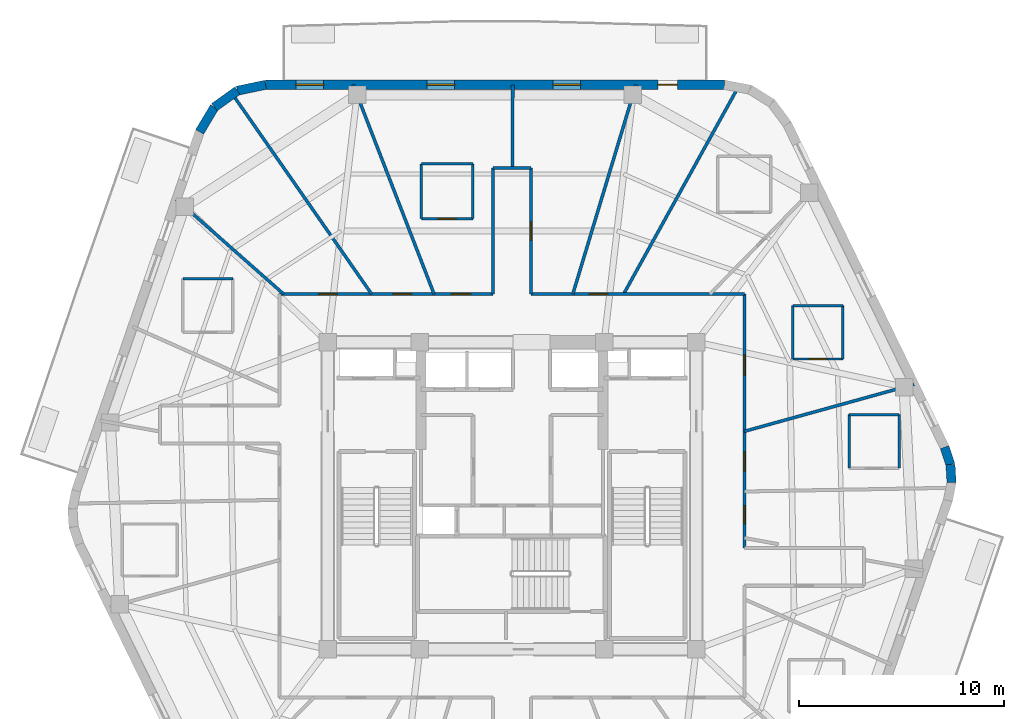
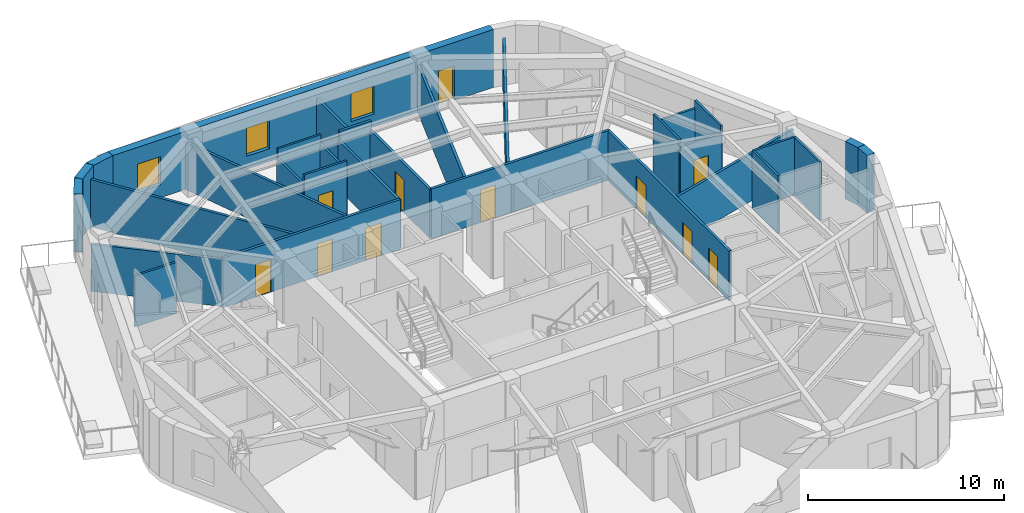
# One storey, part 6 of 9: 31 walls, 11 doors, 3 windows, 14 openings.
"""IFC4 building model written with IfcOpenShell, lengths in metres."""

from ifc_helpers import new_model, si_unit, direction, frame, frame_2d, origin, place, context, subcontext, project, spatial, rectangle, extrude, material, layer, layer_set, type_object, element, fill, save


model = new_model("IFC4")

# Units and contexts
model_context = context("Model", 3, precision=1e-05, world=origin(), true_north=direction((0.0, 1.0)))
body_context = subcontext(model_context, "Body", "Model", "MODEL_VIEW")
ifc_project = project(units=[si_unit("LENGTHUNIT", "METRE"), si_unit("AREAUNIT", "SQUARE_METRE"), si_unit("VOLUMEUNIT", "CUBIC_METRE"), si_unit("PLANEANGLEUNIT", "RADIAN"), si_unit("MASSUNIT", "GRAM", prefix="KILO")], contexts=[model_context])

# Site, building, storey
site_placement = place(None, origin())
site = spatial("IfcSite", under=ifc_project, at=site_placement, CompositionType="ELEMENT")
building_placement = place(site_placement, origin())
building = spatial("IfcBuilding", under=site, at=building_placement, Name="Kilnhurst Terrace Hotel", CompositionType="ELEMENT")
storey_placement = place(building_placement, frame((0.0, 0.0, 261.300048828125)))
storey = spatial("IfcBuildingStorey", under=building, at=storey_placement, Name="L65", CompositionType="ELEMENT", Elevation=261.300048828125)

# Walls
ifc_material_1 = material(Name="Precast concrete C40/50", Category="concrete")
ifc_layer_1 = layer(ifc_material_1, 0.449951171875, Name="Precast concrete C40/50")
ifc_layer_set_1 = layer_set([ifc_layer_1], Name="Precast concrete C40/50")
wall_type_1 = type_object("IfcWallType", Name="WL-BRK-450", PredefinedType="SOLIDWALL", material=ifc_layer_set_1)
wall_1_placement = place(storey_placement, frame((21.475830078125, 0.6435546875, 0.0), z_axis=(0.0, 0.0, 1.0), x_axis=(-0.061031097918, 0.998135865044, 0.0)))
element("IfcWall", 1, at=wall_1_placement, inside=storey, type_object=wall_type_1, Name="L65 Rounded Corner Brick Wall C3.2", PredefinedType="SOLIDWALL", context=body_context, shape_type="SweptSolid", body=[
    extrude(rectangle(XDim=0.880126953125, YDim=0.449951171875, at=frame_2d((0.43994140625, 0.0))), origin(), (0.0, 0.0, 1.0), 3.599853515625),
])
wall_2_placement = place(storey_placement, frame((21.422119140625, 1.52197265625, 0.0), z_axis=(0.0, 0.0, 1.0), x_axis=(-0.316964162323, 0.94843751497, 0.0)))
element("IfcWall", 2, at=wall_2_placement, inside=storey, type_object=wall_type_1, Name="L65 Rounded Corner Brick Wall C3.3", PredefinedType="SOLIDWALL", context=body_context, shape_type="SweptSolid", body=[
    extrude(rectangle(XDim=0.89501953125, YDim=0.449951171875, at=frame_2d((0.447509765625, 0.0))), origin(), (0.0, 0.0, 1.0), 3.599853515625),
])
wall_3_placement = place(storey_placement, frame((-12.038330078125, 20.074951171875, 0.0), z_axis=(0.0, 0.0, 1.0), x_axis=(-0.978750122553, -0.205056571711, 0.0)))
element("IfcWall", 3, at=wall_3_placement, inside=storey, type_object=wall_type_1, Name="L65 Rounded Corner Brick Wall C5.1", PredefinedType="SOLIDWALL", context=body_context, shape_type="SweptSolid", body=[
    extrude(rectangle(XDim=1.406005859375, YDim=0.449951171875, at=frame_2d((0.703125, 0.0))), origin(), (0.0, 0.0, 1.0), 3.599853515625),
])
wall_4_placement = place(storey_placement, frame((-13.41455078125, 19.78662109375, 0.0), z_axis=(0.0, 0.0, 1.0), x_axis=(-0.814055493997, -0.580787097561, 0.0)))
element("IfcWall", 4, at=wall_4_placement, inside=storey, type_object=wall_type_1, Name="L65 Rounded Corner Brick Wall C5.2", PredefinedType="SOLIDWALL", context=body_context, shape_type="SweptSolid", body=[
    extrude(rectangle(XDim=1.382568359375, YDim=0.449951171875, at=frame_2d((0.69140625, 0.0))), origin(), (0.0, 0.0, 1.0), 3.599853515625),
])
wall_5_placement = place(storey_placement, frame((-14.5400390625, 18.983642578125, 0.0), z_axis=(0.0, 0.0, 1.0), x_axis=(-0.512374906623, -0.858761873317, 0.0)))
element("IfcWall", 5, at=wall_5_placement, inside=storey, type_object=wall_type_1, Name="L65 Rounded Corner Brick Wall C5.3", PredefinedType="SOLIDWALL", context=body_context, shape_type="SweptSolid", body=[
    extrude(rectangle(XDim=1.406005859375, YDim=0.449951171875, at=frame_2d((0.703125, 0.0))), origin(), (0.0, 0.0, 1.0), 3.599853515625),
])

# Wall, openings, door, windows
wall_6_placement = place(storey_placement, frame((10.37890625, 20.074951171875, 0.0), z_axis=(0.0, 0.0, 1.0), x_axis=(-1.0, 0.0, 0.0)))
wall_6 = element("IfcWall", 6, at=wall_6_placement, inside=storey, type_object=wall_type_1, Name="L65 Exterior Brick Facade Wall F4", PredefinedType="SOLIDWALL", context=body_context, shape_type="SweptSolid", body=[
    extrude(rectangle(XDim=22.417236328125, YDim=0.449951171875, at=frame_2d((11.20849609375, 0.0))), origin(), (0.0, 0.0, 1.0), 3.599853515625),
])
opening_1_placement = place(wall_6_placement, frame((2.302001953125, 0.0, 0.0)))
opening_1 = element("IfcOpeningElement", 7, at=opening_1_placement, cuts=wall_6, Name="Opening BD-950", PredefinedType="OPENING", context=body_context, shape_type="SweptSolid", body=[
    extrude(rectangle(XDim=0.949951171875, YDim=2.14990234375, at=frame_2d((0.47509765625, 1.074951171875))), frame((0.0, 0.23486328125, 0.0), z_axis=(0.0, -1.0, 0.0), x_axis=(1.0, 0.0, 0.0)), (0.0, 0.0, 1.0), 0.469970703125),
])
opening_2_placement = place(wall_6_placement, frame((7.02197265625, 0.0, 0.800048828125)))
opening_2 = element("IfcOpeningElement", 8, at=opening_2_placement, cuts=wall_6, Name="Opening W-06", PredefinedType="OPENING", context=body_context, shape_type="SweptSolid", body=[
    extrude(rectangle(XDim=1.35009765625, YDim=1.75, at=frame_2d((0.675048828125, 0.875))), frame((0.0, 0.23486328125, 0.0), z_axis=(0.0, -1.0, 0.0), x_axis=(1.0, 0.0, 0.0)), (0.0, 0.0, 1.0), 0.469970703125),
])
opening_3_placement = place(wall_6_placement, frame((13.179931640625, 0.0, 0.800048828125)))
opening_3 = element("IfcOpeningElement", 9, at=opening_3_placement, cuts=wall_6, Name="Opening W-06", PredefinedType="OPENING", context=body_context, shape_type="SweptSolid", body=[
    extrude(rectangle(XDim=1.35009765625, YDim=1.75, at=frame_2d((0.675048828125, 0.875))), frame((0.0, 0.23486328125, 0.0), z_axis=(0.0, -1.0, 0.0), x_axis=(1.0, 0.0, 0.0)), (0.0, 0.0, 1.0), 0.469970703125),
])
opening_4_placement = place(wall_6_placement, frame((19.5869140625, 0.0, 0.800048828125)))
opening_4 = element("IfcOpeningElement", 10, at=opening_4_placement, cuts=wall_6, Name="Opening W-06", PredefinedType="OPENING", context=body_context, shape_type="SweptSolid", body=[
    extrude(rectangle(XDim=1.35009765625, YDim=1.75, at=frame_2d((0.675048828125, 0.875))), frame((0.0, 0.23486328125, 0.0), z_axis=(0.0, -1.0, 0.0), x_axis=(1.0, 0.0, 0.0)), (0.0, 0.0, 1.0), 0.469970703125),
])
ifc_material_2 = material(Name="Thermally Broken Bronze Aluminium Alloy 6063-T6 and Laminated Glass", Category="aluminium")
door_type_1 = type_object("IfcDoorType", Name="DR-EXT-BAL-950", OperationType="NOTDEFINED", PredefinedType="DOOR", material=ifc_material_2)
door_1_placement = place(opening_1_placement, origin())
door_1 = element("IfcDoor", 11, at=door_1_placement, inside=storey, type_object=door_type_1, Name="L65 Planted Balcony Door BAL-L2A", OperationType="SINGLE_SWING_RIGHT", OverallHeight=2.14990234375, OverallWidth=0.949951171875, PredefinedType="DOOR", context=body_context, shape_type="SweptSolid", body=[
    extrude(rectangle(XDim=0.949951171875, YDim=2.14990234375, at=frame_2d((0.47509765625, 1.074951171875))), frame((0.0, 0.02490234375, 0.0), z_axis=(0.0, -1.0, 0.0), x_axis=(1.0, 0.0, 0.0)), (0.0, 0.0, 1.0), 0.050048828125),
])
fill(opening_1, door_1)
ifc_material_3 = material(Name="Thermally Broken Bronze Aluminium Alloy 6063-T6 and Low-E Glass", Category="aluminium")
window_type = type_object("IfcWindowType", Name="WIN-1350X1750", PartitioningType="SINGLE_PANEL", PredefinedType="WINDOW", material=ifc_material_3)
window_1_placement = place(opening_2_placement, origin())
window_1 = element("IfcWindow", 12, at=window_1_placement, inside=storey, type_object=window_type, Name="L65 Deep-Set Masonry Window F4.1", OverallHeight=1.75, OverallWidth=1.35009765625, PartitioningType="SINGLE_PANEL", PredefinedType="WINDOW", context=body_context, shape_type="SweptSolid", body=[
    extrude(rectangle(XDim=1.35009765625, YDim=1.75, at=frame_2d((0.675048828125, 0.875))), frame((0.0, 0.030029296875, 0.0), z_axis=(0.0, -1.0, 0.0), x_axis=(1.0, 0.0, 0.0)), (0.0, 0.0, 1.0), 0.06005859375),
])
fill(opening_2, window_1)
window_2_placement = place(opening_3_placement, origin())
window_2 = element("IfcWindow", 13, at=window_2_placement, inside=storey, type_object=window_type, Name="L65 Deep-Set Masonry Window F4.2", OverallHeight=1.75, OverallWidth=1.35009765625, PartitioningType="SINGLE_PANEL", PredefinedType="WINDOW", context=body_context, shape_type="SweptSolid", body=[
    extrude(rectangle(XDim=1.35009765625, YDim=1.75, at=frame_2d((0.675048828125, 0.875))), frame((0.0, 0.030029296875, 0.0), z_axis=(0.0, -1.0, 0.0), x_axis=(1.0, 0.0, 0.0)), (0.0, 0.0, 1.0), 0.06005859375),
])
fill(opening_3, window_2)
window_3_placement = place(opening_4_placement, origin())
window_3 = element("IfcWindow", 14, at=window_3_placement, inside=storey, type_object=window_type, Name="L65 Deep-Set Masonry Window F4.3", OverallHeight=1.75, OverallWidth=1.35009765625, PartitioningType="SINGLE_PANEL", PredefinedType="WINDOW", context=body_context, shape_type="SweptSolid", body=[
    extrude(rectangle(XDim=1.35009765625, YDim=1.75, at=frame_2d((0.675048828125, 0.875))), frame((0.0, 0.030029296875, 0.0), z_axis=(0.0, -1.0, 0.0), x_axis=(1.0, 0.0, 0.0)), (0.0, 0.0, 1.0), 0.06005859375),
])
fill(opening_4, window_3)

# Wall, openings, doors
ifc_material_4 = material(Name="Acoustic Double-Gypsum Corridor Partition Assembly")
ifc_layer_2 = layer(ifc_material_4, 0.14990234375, Name="Acoustic Double-Gypsum Corridor Partition Assembly")
ifc_layer_set_2 = layer_set([ifc_layer_2], Name="Acoustic Double-Gypsum Corridor Partition Assembly")
wall_type_2 = type_object("IfcWallType", Name="WL-COR-150", PredefinedType="PARTITIONING", material=ifc_layer_set_2)
wall_7_placement = place(storey_placement, frame((-11.35009765625, 9.85009765625, 0.0), z_axis=(0.0, 0.0, 1.0), x_axis=(1.0, 0.0, 0.0)))
wall_7 = element("IfcWall", 15, at=wall_7_placement, inside=storey, type_object=wall_type_2, Name="L65 Interior Wall WL-L65-COR-06", PredefinedType="PARTITIONING", context=body_context, shape_type="SweptSolid", body=[
    extrude(rectangle(XDim=10.43017578125, YDim=0.14990234375, at=frame_2d((5.215087890625, 0.0))), origin(), (0.0, 0.0, 1.0), 3.08984375),
])
opening_5_placement = place(wall_7_placement, frame((8.382080078125, 0.0, 0.0)))
opening_5 = element("IfcOpeningElement", 16, at=opening_5_placement, cuts=wall_7, Name="Opening D-60B", PredefinedType="OPENING", context=body_context, shape_type="SweptSolid", body=[
    extrude(rectangle(XDim=0.949951171875, YDim=2.030029296875, at=frame_2d((0.47509765625, 1.01513671875))), frame((0.0, 0.0849609375, 0.0), z_axis=(0.0, -1.0, 0.0), x_axis=(1.0, 0.0, 0.0)), (0.0, 0.0, 1.0), 0.169921875),
])
opening_6_placement = place(wall_7_placement, frame((5.541015625, 0.0, 0.0)))
opening_6 = element("IfcOpeningElement", 17, at=opening_6_placement, cuts=wall_7, Name="Opening D-60C", PredefinedType="OPENING", context=body_context, shape_type="SweptSolid", body=[
    extrude(rectangle(XDim=0.89990234375, YDim=2.030029296875, at=frame_2d((0.449951171875, 1.01513671875))), frame((0.0, 0.0849609375, 0.0), z_axis=(0.0, -1.0, 0.0), x_axis=(1.0, 0.0, 0.0)), (0.0, 0.0, 1.0), 0.169921875),
])
opening_7_placement = place(wall_7_placement, frame((1.916015625, 0.0, 0.0)))
opening_7 = element("IfcOpeningElement", 18, at=opening_7_placement, cuts=wall_7, Name="Opening D-60C", PredefinedType="OPENING", context=body_context, shape_type="SweptSolid", body=[
    extrude(rectangle(XDim=0.89990234375, YDim=2.030029296875, at=frame_2d((0.449951171875, 1.01513671875))), frame((0.0, 0.0849609375, 0.0), z_axis=(0.0, -1.0, 0.0), x_axis=(1.0, 0.0, 0.0)), (0.0, 0.0, 1.0), 0.169921875),
])
ifc_material_5 = material(Name="Painted Solid-Core Service Fire Door")
door_type_2 = type_object("IfcDoorType", Name="DR-FD60-900", OperationType="NOTDEFINED", PredefinedType="DOOR", material=ifc_material_5)
door_2_placement = place(opening_6_placement, origin())
door_2 = element("IfcDoor", 19, at=door_2_placement, inside=storey, type_object=door_type_2, Name="L65 Botanical Reading Lounge Door 7", OperationType="SINGLE_SWING_LEFT", OverallHeight=2.030029296875, OverallWidth=0.89990234375, PredefinedType="DOOR", context=body_context, shape_type="SweptSolid", body=[
    extrude(rectangle(XDim=0.89990234375, YDim=2.030029296875, at=frame_2d((0.449951171875, 1.01513671875))), frame((0.0, 0.02490234375, 0.0), z_axis=(0.0, -1.0, 0.0), x_axis=(1.0, 0.0, 0.0)), (0.0, 0.0, 1.0), 0.050048828125),
])
fill(opening_6, door_2)
door_3_placement = place(opening_7_placement, origin())
door_3 = element("IfcDoor", 20, at=door_3_placement, inside=storey, type_object=door_type_2, Name="L65 Private Meeting Salon Door 8", OperationType="SINGLE_SWING_RIGHT", OverallHeight=2.030029296875, OverallWidth=0.89990234375, PredefinedType="DOOR", context=body_context, shape_type="SweptSolid", body=[
    extrude(rectangle(XDim=0.89990234375, YDim=2.030029296875, at=frame_2d((0.449951171875, 1.01513671875))), frame((0.0, 0.02490234375, 0.0), z_axis=(0.0, -1.0, 0.0), x_axis=(1.0, 0.0, 0.0)), (0.0, 0.0, 1.0), 0.050048828125),
])
fill(opening_7, door_3)
ifc_material_6 = material(Name="Acoustic Walnut Veneer Solid-Core Fire Door")
door_type_3 = type_object("IfcDoorType", Name="DR-FD60-950", OperationType="NOTDEFINED", PredefinedType="DOOR", material=ifc_material_6)
door_4_placement = place(opening_5_placement, origin())
door_4 = element("IfcDoor", 21, at=door_4_placement, inside=storey, type_object=door_type_3, Name="L65 Guest Room Entry Door 6", OperationType="SINGLE_SWING_RIGHT", OverallHeight=2.030029296875, OverallWidth=0.949951171875, PredefinedType="DOOR", context=body_context, shape_type="SweptSolid", body=[
    extrude(rectangle(XDim=0.949951171875, YDim=2.030029296875, at=frame_2d((0.47509765625, 1.01513671875))), frame((0.0, 0.02490234375, 0.0), z_axis=(0.0, -1.0, 0.0), x_axis=(1.0, 0.0, 0.0)), (0.0, 0.0, 1.0), 0.050048828125),
])
fill(opening_5, door_4)

# Walls
wall_8_placement = place(storey_placement, frame((-0.919921875, 9.85009765625, 0.0), z_axis=(0.0, 0.0, 1.0), x_axis=(0.0, 1.0, 0.0)))
element("IfcWall", 22, at=wall_8_placement, inside=storey, type_object=wall_type_2, Name="L65 Interior Wall WL-L65-COR-07", PredefinedType="PARTITIONING", context=body_context, shape_type="SweptSolid", body=[
    extrude(rectangle(XDim=6.14990234375, YDim=0.14990234375, at=frame_2d((3.074951171875, 0.0))), origin(), (0.0, 0.0, 1.0), 3.04052734375),
])
wall_9_placement = place(storey_placement, frame((-0.919921875, 16.0, 0.0), z_axis=(0.0, 0.0, 1.0), x_axis=(1.0, 0.0, 0.0)))
element("IfcWall", 23, at=wall_9_placement, inside=storey, type_object=wall_type_2, Name="L65 Interior Wall WL-L65-COR-08", PredefinedType="PARTITIONING", context=body_context, shape_type="SweptSolid", body=[
    extrude(rectangle(XDim=1.83984375, YDim=0.14990234375, at=frame_2d((0.919921875, 0.0))), origin(), (0.0, 0.0, 1.0), 3.599853515625),
])

# Wall, opening, door
wall_10_placement = place(storey_placement, frame((0.919921875, 16.0, 0.0), z_axis=(0.0, 0.0, 1.0), x_axis=(0.0, -1.0, 0.0)))
wall_10 = element("IfcWall", 24, at=wall_10_placement, inside=storey, type_object=wall_type_2, Name="L65 Interior Wall WL-L65-COR-09", PredefinedType="PARTITIONING", context=body_context, shape_type="SweptSolid", body=[
    extrude(rectangle(XDim=6.14990234375, YDim=0.14990234375, at=frame_2d((3.074951171875, 0.0))), origin(), (0.0, 0.0, 1.0), 3.04052734375),
])
opening_8_placement = place(wall_10_placement, frame((2.625, 0.0, 0.0)))
opening_8 = element("IfcOpeningElement", 25, at=opening_8_placement, cuts=wall_10, Name="Opening D-60C", PredefinedType="OPENING", context=body_context, shape_type="SweptSolid", body=[
    extrude(rectangle(XDim=0.89990234375, YDim=2.030029296875, at=frame_2d((0.449951171875, 1.01513671875))), frame((0.0, 0.0849609375, 0.0), z_axis=(0.0, -1.0, 0.0), x_axis=(1.0, 0.0, 0.0)), (0.0, 0.0, 1.0), 0.169921875),
])
door_5_placement = place(opening_8_placement, origin())
door_5 = element("IfcDoor", 26, at=door_5_placement, inside=storey, type_object=door_type_2, Name="L65 Executive Work Office Door 5", OperationType="SINGLE_SWING_LEFT", OverallHeight=2.030029296875, OverallWidth=0.89990234375, PredefinedType="DOOR", context=body_context, shape_type="SweptSolid", body=[
    extrude(rectangle(XDim=0.89990234375, YDim=2.030029296875, at=frame_2d((0.449951171875, 1.01513671875))), frame((0.0, 0.02490234375, 0.0), z_axis=(0.0, -1.0, 0.0), x_axis=(1.0, 0.0, 0.0)), (0.0, 0.0, 1.0), 0.050048828125),
])
fill(opening_8, door_5)

wall_11_placement = place(storey_placement, frame((0.919921875, 9.85009765625, 0.0), z_axis=(0.0, 0.0, 1.0), x_axis=(1.0, 0.0, 0.0)))
wall_11 = element("IfcWall", 27, at=wall_11_placement, inside=storey, type_object=wall_type_2, Name="L65 Interior Wall WL-L65-COR-10", PredefinedType="PARTITIONING", context=body_context, shape_type="SweptSolid", body=[
    extrude(rectangle(XDim=10.43017578125, YDim=0.14990234375, at=frame_2d((5.215087890625, 0.0))), origin(), (0.0, 0.0, 1.0), 3.08984375),
])
opening_9_placement = place(wall_11_placement, frame((2.860107421875, 0.0, 0.0)))
opening_9 = element("IfcOpeningElement", 28, at=opening_9_placement, cuts=wall_11, Name="Opening D-60C", PredefinedType="OPENING", context=body_context, shape_type="SweptSolid", body=[
    extrude(rectangle(XDim=0.89990234375, YDim=2.030029296875, at=frame_2d((0.449951171875, 1.01513671875))), frame((0.0, 0.0849609375, 0.0), z_axis=(0.0, -1.0, 0.0), x_axis=(1.0, 0.0, 0.0)), (0.0, 0.0, 1.0), 0.169921875),
])
door_6_placement = place(opening_9_placement, origin())
door_6 = element("IfcDoor", 29, at=door_6_placement, inside=storey, type_object=door_type_2, Name="L65 Executive Work Office Door 4", OperationType="SINGLE_SWING_RIGHT", OverallHeight=2.030029296875, OverallWidth=0.89990234375, PredefinedType="DOOR", context=body_context, shape_type="SweptSolid", body=[
    extrude(rectangle(XDim=0.89990234375, YDim=2.030029296875, at=frame_2d((0.449951171875, 1.01513671875))), frame((0.0, 0.02490234375, 0.0), z_axis=(0.0, -1.0, 0.0), x_axis=(1.0, 0.0, 0.0)), (0.0, 0.0, 1.0), 0.050048828125),
])
fill(opening_9, door_6)

# Wall, openings, doors
wall_12_placement = place(storey_placement, frame((11.35009765625, 9.85009765625, 0.0), z_axis=(0.0, 0.0, 1.0), x_axis=(0.0, -1.0, 0.0)))
wall_12 = element("IfcWall", 30, at=wall_12_placement, inside=storey, type_object=wall_type_2, Name="L65 Interior Wall WL-L65-COR-11", PredefinedType="PARTITIONING", context=body_context, shape_type="SweptSolid", body=[
    extrude(rectangle(XDim=12.400146484375, YDim=0.14990234375, at=frame_2d((6.2001953125, 0.0))), origin(), (0.0, 0.0, 1.0), 3.08984375),
])
opening_10_placement = place(wall_12_placement, frame((7.697021484375, 0.0, 0.0)))
opening_10 = element("IfcOpeningElement", 31, at=opening_10_placement, cuts=wall_12, Name="Opening D-60B", PredefinedType="OPENING", context=body_context, shape_type="SweptSolid", body=[
    extrude(rectangle(XDim=0.949951171875, YDim=2.030029296875, at=frame_2d((0.47509765625, 1.01513671875))), frame((0.0, 0.0849609375, 0.0), z_axis=(0.0, -1.0, 0.0), x_axis=(1.0, 0.0, 0.0)), (0.0, 0.0, 1.0), 0.169921875),
])
opening_11_placement = place(wall_12_placement, frame((2.972900390625, 0.0, 0.0)))
opening_11 = element("IfcOpeningElement", 32, at=opening_11_placement, cuts=wall_12, Name="Opening D-60A", PredefinedType="OPENING", context=body_context, shape_type="SweptSolid", body=[
    extrude(rectangle(XDim=1.0, YDim=2.030029296875, at=frame_2d((0.5, 1.01513671875))), frame((0.0, 0.0849609375, 0.0), z_axis=(0.0, -1.0, 0.0), x_axis=(1.0, 0.0, 0.0)), (0.0, 0.0, 1.0), 0.169921875),
])
opening_12_placement = place(wall_12_placement, frame((10.3330078125, 0.0, 0.0)))
opening_12 = element("IfcOpeningElement", 33, at=opening_12_placement, cuts=wall_12, Name="Opening D-60C", PredefinedType="OPENING", context=body_context, shape_type="SweptSolid", body=[
    extrude(rectangle(XDim=0.89990234375, YDim=2.030029296875, at=frame_2d((0.449951171875, 1.01513671875))), frame((0.0, 0.0849609375, 0.0), z_axis=(0.0, -1.0, 0.0), x_axis=(1.0, 0.0, 0.0)), (0.0, 0.0, 1.0), 0.169921875),
])
door_type_4 = type_object("IfcDoorType", Name="DR-FD60-1000", OperationType="NOTDEFINED", PredefinedType="DOOR", material=ifc_material_6)
door_7_placement = place(opening_11_placement, origin())
door_7 = element("IfcDoor", 34, at=door_7_placement, inside=storey, type_object=door_type_4, Name="L65 Sky Residence Entry Door 2", OperationType="SINGLE_SWING_RIGHT", OverallHeight=2.030029296875, OverallWidth=1.0, PredefinedType="DOOR", context=body_context, shape_type="SweptSolid", body=[
    extrude(rectangle(XDim=1.0, YDim=2.030029296875, at=frame_2d((0.5, 1.01513671875))), frame((0.0, 0.02490234375, 0.0), z_axis=(0.0, -1.0, 0.0), x_axis=(1.0, 0.0, 0.0)), (0.0, 0.0, 1.0), 0.050048828125),
])
fill(opening_11, door_7)
door_8_placement = place(opening_12_placement, origin())
door_8 = element("IfcDoor", 35, at=door_8_placement, inside=storey, type_object=door_type_2, Name="L65 Private Tasting Dining Room Door 22", OperationType="SINGLE_SWING_RIGHT", OverallHeight=2.030029296875, OverallWidth=0.89990234375, PredefinedType="DOOR", context=body_context, shape_type="SweptSolid", body=[
    extrude(rectangle(XDim=0.89990234375, YDim=2.030029296875, at=frame_2d((0.449951171875, 1.01513671875))), frame((0.0, 0.02490234375, 0.0), z_axis=(0.0, -1.0, 0.0), x_axis=(1.0, 0.0, 0.0)), (0.0, 0.0, 1.0), 0.050048828125),
])
fill(opening_12, door_8)
door_9_placement = place(opening_10_placement, origin())
door_9 = element("IfcDoor", 36, at=door_9_placement, inside=storey, type_object=door_type_3, Name="L65 Guest Room Entry Door 1", OperationType="SINGLE_SWING_LEFT", OverallHeight=2.030029296875, OverallWidth=0.949951171875, PredefinedType="DOOR", context=body_context, shape_type="SweptSolid", body=[
    extrude(rectangle(XDim=0.949951171875, YDim=2.030029296875, at=frame_2d((0.47509765625, 1.01513671875))), frame((0.0, 0.02490234375, 0.0), z_axis=(0.0, -1.0, 0.0), x_axis=(1.0, 0.0, 0.0)), (0.0, 0.0, 1.0), 0.050048828125),
])
fill(opening_10, door_9)

# Walls
ifc_material_7 = material(Name="STC-58 Acoustic Twin-Frame Guestroom Demising Partition")
ifc_layer_3 = layer(ifc_material_7, 0.14990234375, Name="STC-58 Acoustic Twin-Frame Guestroom Demising Partition")
ifc_layer_set_3 = layer_set([ifc_layer_3], Name="STC-58 Acoustic Twin-Frame Guestroom Demising Partition")
wall_type_3 = type_object("IfcWallType", Name="WL-DEM-150", PredefinedType="PARTITIONING", material=ifc_layer_set_3)
wall_13_placement = place(storey_placement, frame((11.35009765625, 3.142822265625, 0.0), z_axis=(0.0, 0.0, 1.0), x_axis=(0.963731818141, 0.266872596386, 0.0)))
element("IfcWall", 37, at=wall_13_placement, inside=storey, type_object=wall_type_3, Name="L65 Interior Wall WL-L65-DEM-COL01-02-1", PredefinedType="PARTITIONING", context=body_context, shape_type="SweptSolid", body=[
    extrude(rectangle(XDim=8.604736328125, YDim=0.14990234375, at=frame_2d((4.30224609375, 0.0))), origin(), (0.0, 0.0, 1.0), 2.93994140625),
])
wall_14_placement = place(storey_placement, frame((5.453857421875, 9.85009765625, 0.0), z_axis=(0.0, 0.0, 1.0), x_axis=(0.48439420613, 0.874849846012, 0.0)))
element("IfcWall", 38, at=wall_14_placement, inside=storey, type_object=wall_type_3, Name="L65 Interior Wall WL-L65-DEM-MID02-04-1", PredefinedType="PARTITIONING", context=body_context, shape_type="SweptSolid", body=[
    extrude(rectangle(XDim=11.37548828125, YDim=0.14990234375, at=frame_2d((5.687744140625, 0.0))), origin(), (0.0, 0.0, 1.0), 2.93994140625),
])
wall_15_placement = place(storey_placement, frame((2.97216796875, 9.85009765625, 0.0), z_axis=(0.0, 0.0, 1.0), x_axis=(0.288872169679, 0.957367677324, 0.0)))
element("IfcWall", 39, at=wall_15_placement, inside=storey, type_object=wall_type_3, Name="L65 Interior Wall WL-L65-DEM-COL03-05-1", PredefinedType="PARTITIONING", context=body_context, shape_type="SweptSolid", body=[
    extrude(rectangle(XDim=10.68017578125, YDim=0.14990234375, at=frame_2d((5.340087890625, 0.0))), origin(), (0.0, 0.0, 1.0), 2.93994140625),
])
wall_16_placement = place(storey_placement, frame((0.02880859375, 16.0, 0.0), z_axis=(0.0, 0.0, 1.0), x_axis=(0.001797372928, 0.999998384724, 0.0)))
element("IfcWall", 40, at=wall_16_placement, inside=storey, type_object=wall_type_3, Name="L65 Interior Wall WL-L65-DEM-MID03-06-1", PredefinedType="PARTITIONING", context=body_context, shape_type="SweptSolid", body=[
    extrude(rectangle(XDim=4.074951171875, YDim=0.14990234375, at=frame_2d((2.03759765625, 0.0))), origin(), (0.0, 0.0, 1.0), 2.93994140625),
])
wall_17_placement = place(storey_placement, frame((-3.8076171875, 9.85009765625, 0.0), z_axis=(0.0, 0.0, 1.0), x_axis=(-0.360587327934, 0.932725457427, 0.0)))
element("IfcWall", 41, at=wall_17_placement, inside=storey, type_object=wall_type_3, Name="L65 Interior Wall WL-L65-DEM-COL04-07-1", PredefinedType="PARTITIONING", context=body_context, shape_type="SweptSolid", body=[
    extrude(rectangle(XDim=10.96240234375, YDim=0.14990234375, at=frame_2d((5.481201171875, 0.0))), origin(), (0.0, 0.0, 1.0), 2.93994140625),
])
wall_18_placement = place(storey_placement, frame((-6.858154296875, 9.85009765625, 0.0), z_axis=(0.0, 0.0, 1.0), x_axis=(-0.571391702066, 0.820677477948, 0.0)))
element("IfcWall", 42, at=wall_18_placement, inside=storey, type_object=wall_type_3, Name="L65 Interior Wall WL-L65-DEM-MID04-08-1", PredefinedType="PARTITIONING", context=body_context, shape_type="SweptSolid", body=[
    extrude(rectangle(XDim=11.737548828125, YDim=0.14990234375, at=frame_2d((5.86865234375, 0.0))), origin(), (0.0, 0.0, 1.0), 2.93994140625),
])
wall_19_placement = place(storey_placement, frame((-11.1572265625, 9.85009765625, 0.0), z_axis=(0.0, 0.0, 1.0), x_axis=(-0.74966962095, 0.661812253909, 0.0)))
element("IfcWall", 43, at=wall_19_placement, inside=storey, type_object=wall_type_3, Name="L65 Interior Wall WL-L65-DEM-COL05-09-1", PredefinedType="PARTITIONING", context=body_context, shape_type="SweptSolid", body=[
    extrude(rectangle(XDim=6.98876953125, YDim=0.14990234375, at=frame_2d((3.494384765625, 0.0))), origin(), (0.0, 0.0, 1.0), 2.93994140625),
])
ifc_material_8 = material(Name="120 mm Moisture-Resistant Tile-Backed Bathroom Partition")
ifc_layer_4 = layer(ifc_material_8, 0.1201171875, Name="120 mm Moisture-Resistant Tile-Backed Bathroom Partition")
ifc_layer_set_4 = layer_set([ifc_layer_4], Name="120 mm Moisture-Resistant Tile-Backed Bathroom Partition")
wall_type_4 = type_object("IfcWallType", Name="WL-PART-120", PredefinedType="PARTITIONING", material=ifc_layer_set_4)
wall_20_placement = place(storey_placement, frame((18.910888671875, 1.34912109375, 0.0), z_axis=(0.0, 0.0, 1.0), x_axis=(0.0, 1.0, 0.0)))
element("IfcWall", 44, at=wall_20_placement, inside=storey, type_object=wall_type_4, Name="L65 Interior Wall WL-L65-BTH-01-2", PredefinedType="PARTITIONING", context=body_context, shape_type="SweptSolid", body=[
    extrude(rectangle(XDim=2.60986328125, YDim=0.1201171875, at=frame_2d((1.304931640625, 0.0))), origin(), (0.0, 0.0, 1.0), 3.599853515625),
])
wall_21_placement = place(storey_placement, frame((18.910888671875, 3.958984375, 0.0), z_axis=(0.0, 0.0, 1.0), x_axis=(-1.0, 0.0, 0.0)))
element("IfcWall", 45, at=wall_21_placement, inside=storey, type_object=wall_type_4, Name="L65 Interior Wall WL-L65-BTH-01-3", PredefinedType="PARTITIONING", context=body_context, shape_type="SweptSolid", body=[
    extrude(rectangle(XDim=2.43994140625, YDim=0.1201171875, at=frame_2d((1.219970703125, 0.0))), origin(), (0.0, 0.0, 1.0), 3.599853515625),
])
wall_22_placement = place(storey_placement, frame((16.470947265625, 3.958984375, 0.0), z_axis=(0.0, 0.0, 1.0), x_axis=(0.0, -1.0, 0.0)))
element("IfcWall", 46, at=wall_22_placement, inside=storey, type_object=wall_type_4, Name="L65 Interior Wall WL-L65-BTH-01-4", PredefinedType="PARTITIONING", context=body_context, shape_type="SweptSolid", body=[
    extrude(rectangle(XDim=2.60986328125, YDim=0.1201171875, at=frame_2d((1.304931640625, 0.0))), origin(), (0.0, 0.0, 1.0), 3.599853515625),
])

# Wall, opening, door
wall_23_placement = place(storey_placement, frame((13.722900390625, 6.677001953125, 0.0), z_axis=(0.0, 0.0, 1.0), x_axis=(1.0, 0.0, 0.0)))
wall_23 = element("IfcWall", 47, at=wall_23_placement, inside=storey, type_object=wall_type_4, Name="L65 Interior Wall WL-L65-KIT-02-1", PredefinedType="PARTITIONING", context=body_context, shape_type="SweptSolid", body=[
    extrude(rectangle(XDim=2.440185546875, YDim=0.1201171875, at=frame_2d((1.22021484375, 0.0))), origin(), (0.0, 0.0, 1.0), 3.12646484375),
])
opening_13_placement = place(wall_23_placement, frame((0.794921875, 0.0, 0.0)))
opening_13 = element("IfcOpeningElement", 48, at=opening_13_placement, cuts=wall_23, Name="Opening D-08A", PredefinedType="OPENING", context=body_context, shape_type="SweptSolid", body=[
    extrude(rectangle(XDim=0.85009765625, YDim=2.030029296875, at=frame_2d((0.425048828125, 1.01513671875))), frame((0.0, 0.070068359375, 0.0), z_axis=(0.0, -1.0, 0.0), x_axis=(1.0, 0.0, 0.0)), (0.0, 0.0, 1.0), 0.14013671875),
])
ifc_material_9 = material(Name="Moisture-Resistant Lacquered En-suite Bathroom Door")
door_type_5 = type_object("IfcDoorType", Name="DR-INT-850", OperationType="NOTDEFINED", PredefinedType="DOOR", material=ifc_material_9)
door_10_placement = place(opening_13_placement, origin())
door_10 = element("IfcDoor", 49, at=door_10_placement, inside=storey, type_object=door_type_5, Name="L65 Sky Residence Kitchen Door 2", OperationType="SINGLE_SWING_RIGHT", OverallHeight=2.030029296875, OverallWidth=0.85009765625, PredefinedType="DOOR", context=body_context, shape_type="SweptSolid", body=[
    extrude(rectangle(XDim=0.85009765625, YDim=2.030029296875, at=frame_2d((0.425048828125, 1.01513671875))), frame((0.0, 0.02490234375, 0.0), z_axis=(0.0, -1.0, 0.0), x_axis=(1.0, 0.0, 0.0)), (0.0, 0.0, 1.0), 0.050048828125),
])
fill(opening_13, door_10)

# Walls
wall_24_placement = place(storey_placement, frame((16.1630859375, 6.677001953125, 0.0), z_axis=(0.0, 0.0, 1.0), x_axis=(0.0, 1.0, 0.0)))
element("IfcWall", 50, at=wall_24_placement, inside=storey, type_object=wall_type_4, Name="L65 Interior Wall WL-L65-KIT-02-2", PredefinedType="PARTITIONING", context=body_context, shape_type="SweptSolid", body=[
    extrude(rectangle(XDim=2.610107421875, YDim=0.1201171875, at=frame_2d((1.30517578125, 0.0))), origin(), (0.0, 0.0, 1.0), 3.599853515625),
])
wall_25_placement = place(storey_placement, frame((16.1630859375, 9.287109375, 0.0), z_axis=(0.0, 0.0, 1.0), x_axis=(-1.0, 0.0, 0.0)))
element("IfcWall", 51, at=wall_25_placement, inside=storey, type_object=wall_type_4, Name="L65 Interior Wall WL-L65-KIT-02-3", PredefinedType="PARTITIONING", context=body_context, shape_type="SweptSolid", body=[
    extrude(rectangle(XDim=2.440185546875, YDim=0.1201171875, at=frame_2d((1.22021484375, 0.0))), origin(), (0.0, 0.0, 1.0), 3.12646484375),
])
wall_26_placement = place(storey_placement, frame((13.722900390625, 9.287109375, 0.0), z_axis=(0.0, 0.0, 1.0), x_axis=(0.0, -1.0, 0.0)))
element("IfcWall", 52, at=wall_26_placement, inside=storey, type_object=wall_type_4, Name="L65 Interior Wall WL-L65-KIT-02-4", PredefinedType="PARTITIONING", context=body_context, shape_type="SweptSolid", body=[
    extrude(rectangle(XDim=2.610107421875, YDim=0.1201171875, at=frame_2d((1.30517578125, 0.0))), origin(), (0.0, 0.0, 1.0), 3.599853515625),
])

# Wall, opening, door
wall_27_placement = place(storey_placement, frame((-4.430908203125, 13.534912109375, 0.0), z_axis=(0.0, 0.0, 1.0), x_axis=(1.0, 0.0, 0.0)))
wall_27 = element("IfcWall", 53, at=wall_27_placement, inside=storey, type_object=wall_type_4, Name="L65 Interior Wall WL-L65-BTH-06-1", PredefinedType="PARTITIONING", context=body_context, shape_type="SweptSolid", body=[
    extrude(rectangle(XDim=2.52001953125, YDim=0.1201171875, at=frame_2d((1.260009765625, 0.0))), origin(), (0.0, 0.0, 1.0), 3.599853515625),
])
opening_14_placement = place(wall_27_placement, frame((0.8349609375, 0.0, 0.0)))
opening_14 = element("IfcOpeningElement", 54, at=opening_14_placement, cuts=wall_27, Name="Opening D-08A", PredefinedType="OPENING", context=body_context, shape_type="SweptSolid", body=[
    extrude(rectangle(XDim=0.85009765625, YDim=2.030029296875, at=frame_2d((0.425048828125, 1.01513671875))), frame((0.0, 0.070068359375, 0.0), z_axis=(0.0, -1.0, 0.0), x_axis=(1.0, 0.0, 0.0)), (0.0, 0.0, 1.0), 0.14013671875),
])
door_11_placement = place(opening_14_placement, origin())
door_11 = element("IfcDoor", 55, at=door_11_placement, inside=storey, type_object=door_type_5, Name="L65 En-suite Bathroom Door 6", OperationType="SINGLE_SWING_LEFT", OverallHeight=2.030029296875, OverallWidth=0.85009765625, PredefinedType="DOOR", context=body_context, shape_type="SweptSolid", body=[
    extrude(rectangle(XDim=0.85009765625, YDim=2.030029296875, at=frame_2d((0.425048828125, 1.01513671875))), frame((0.0, 0.02490234375, 0.0), z_axis=(0.0, -1.0, 0.0), x_axis=(1.0, 0.0, 0.0)), (0.0, 0.0, 1.0), 0.050048828125),
])
fill(opening_14, door_11)

# Walls
wall_28_placement = place(storey_placement, frame((-1.910888671875, 13.534912109375, 0.0), z_axis=(0.0, 0.0, 1.0), x_axis=(0.0, 1.0, 0.0)))
element("IfcWall", 56, at=wall_28_placement, inside=storey, type_object=wall_type_4, Name="L65 Interior Wall WL-L65-BTH-06-2", PredefinedType="PARTITIONING", context=body_context, shape_type="SweptSolid", body=[
    extrude(rectangle(XDim=2.68017578125, YDim=0.1201171875, at=frame_2d((1.340087890625, 0.0))), origin(), (0.0, 0.0, 1.0), 3.04052734375),
])
wall_29_placement = place(storey_placement, frame((-1.910888671875, 16.215087890625, 0.0), z_axis=(0.0, 0.0, 1.0), x_axis=(-1.0, 0.0, 0.0)))
element("IfcWall", 57, at=wall_29_placement, inside=storey, type_object=wall_type_4, Name="L65 Interior Wall WL-L65-BTH-06-3", PredefinedType="PARTITIONING", context=body_context, shape_type="SweptSolid", body=[
    extrude(rectangle(XDim=2.52001953125, YDim=0.1201171875, at=frame_2d((1.260009765625, 0.0))), origin(), (0.0, 0.0, 1.0), 3.599853515625),
])
wall_30_placement = place(storey_placement, frame((-4.430908203125, 16.215087890625, 0.0), z_axis=(0.0, 0.0, 1.0), x_axis=(0.0, -1.0, 0.0)))
element("IfcWall", 58, at=wall_30_placement, inside=storey, type_object=wall_type_4, Name="L65 Interior Wall WL-L65-BTH-06-4", PredefinedType="PARTITIONING", context=body_context, shape_type="SweptSolid", body=[
    extrude(rectangle(XDim=2.68017578125, YDim=0.1201171875, at=frame_2d((1.340087890625, 0.0))), origin(), (0.0, 0.0, 1.0), 3.04052734375),
])
wall_31_placement = place(storey_placement, frame((-13.638916015625, 10.60205078125, 0.0), z_axis=(0.0, 0.0, 1.0), x_axis=(-1.0, 0.0, 0.0)))
element("IfcWall", 59, at=wall_31_placement, inside=storey, type_object=wall_type_4, Name="L65 Interior Wall WL-L65-BTH-09-3", PredefinedType="PARTITIONING", context=body_context, shape_type="SweptSolid", body=[
    extrude(rectangle(XDim=2.440185546875, YDim=0.1201171875, at=frame_2d((1.22021484375, 0.0))), origin(), (0.0, 0.0, 1.0), 3.17236328125),
])

save(model, "model.ifc")
